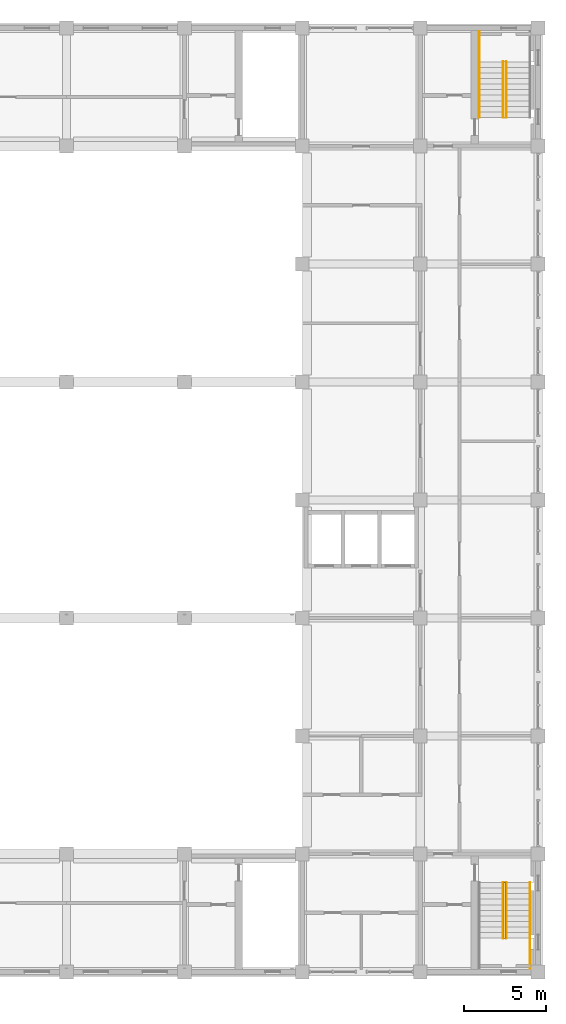
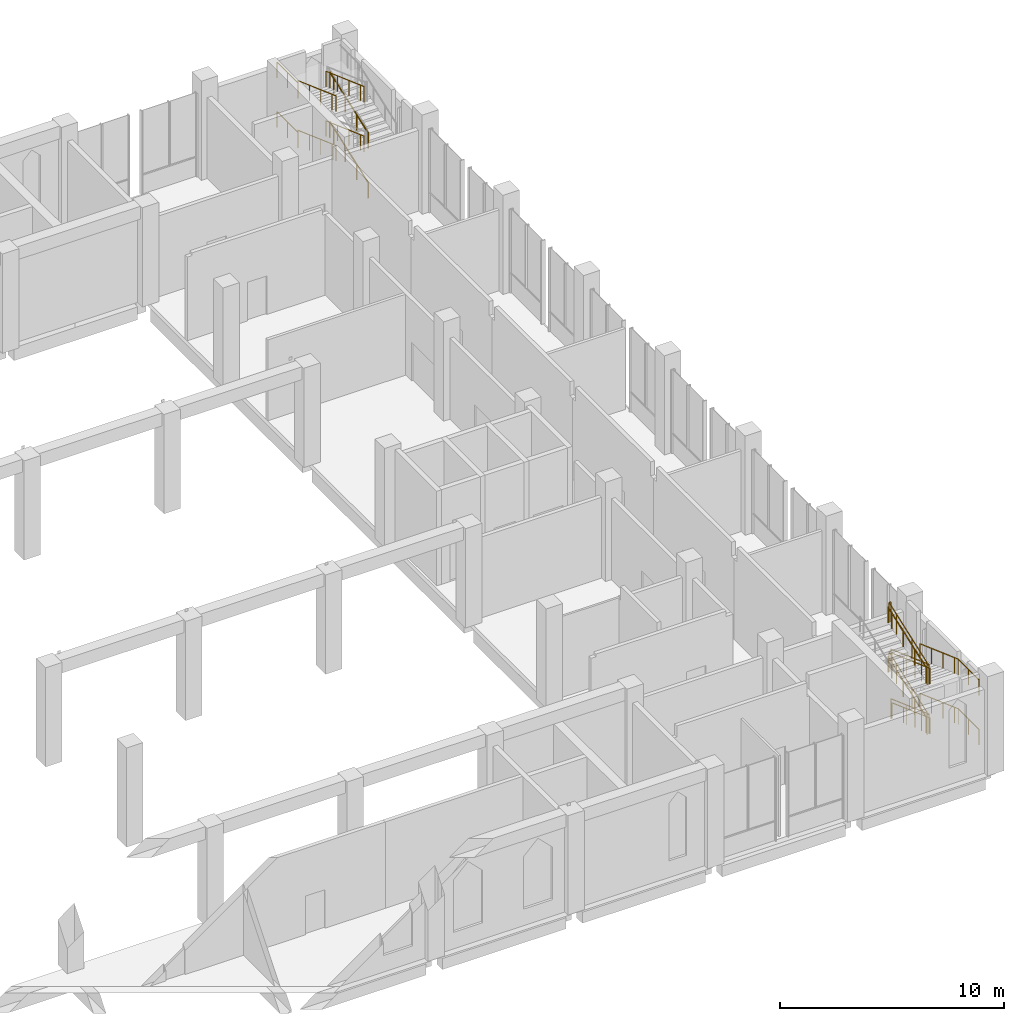
# One storey, part 47 of 48: 13 railings.
"""IFC4 building model written with IfcOpenShell, lengths in metres."""

from ifc_helpers import new_model, si_unit, direction, frame, origin, origin_2d, place, context, subcontext, project, spatial, circle, extrude, material, type_object, element, save


model = new_model("IFC4")

# Units and contexts
model_context = context("Model", 3, precision=1e-05, world=origin(), true_north=direction((0.0, 1.0)))
body_context = subcontext(model_context, "Body", "Model", "MODEL_VIEW")
ifc_project = project(units=[si_unit("LENGTHUNIT", "METRE"), si_unit("AREAUNIT", "SQUARE_METRE"), si_unit("VOLUMEUNIT", "CUBIC_METRE"), si_unit("PLANEANGLEUNIT", "RADIAN"), si_unit("MASSUNIT", "GRAM", prefix="KILO")], contexts=[model_context])

# Site, building, storey
site_placement = place(None, origin())
site = spatial("IfcSite", under=ifc_project, at=site_placement, CompositionType="ELEMENT")
building_placement = place(site_placement, origin())
building = spatial("IfcBuilding", under=site, at=building_placement, Name="Silangan Lancet Faculty of Sciences", CompositionType="ELEMENT")
storey_placement = place(building_placement, frame((0.0, 0.0, 6.0)))
storey = spatial("IfcBuildingStorey", under=building, at=storey_placement, Name="L01", CompositionType="ELEMENT", Elevation=6.0)

# Railings
ifc_material_1 = material(Name="Steel balustrade", Category="steel")
railing_type_1 = type_object("IfcRailingType", Name="STAIR GUARD 1100", PredefinedType="GUARDRAIL", material=ifc_material_1)
railing_1_placement = place(storey_placement, frame((84.39990234375, 5.449951171875, 0.122802734375)))
element("IfcRailing", 1, at=railing_1_placement, inside=storey, type_object=railing_type_1, Name="GUARD-EB-A-L01", PredefinedType="GUARDRAIL", context=body_context, shape_type="SweptSolid", body=[
    extrude(circle(Radius=0.02392578125, at=origin_2d()), frame((0.0, 0.0, 1.076171875), z_axis=(0.0, -0.940611573742, 0.339484708555), x_axis=(1.0, 0.0, 0.0)), (0.0, 0.0, 1.0), 2.8916015625),
    extrude(circle(Radius=0.02392578125, at=origin_2d()), frame((0.0, -2.719970703125, 2.0576171875), z_axis=(0.0, -0.940520931127, 0.339735747474), x_axis=(1.0, 0.0, 0.0)), (0.0, 0.0, 1.0), 0.722900390625),
    extrude(circle(Radius=0.02392578125, at=origin_2d()), frame((0.0, -3.39990234375, 2.30322265625), z_axis=(-1.0, 0.0, 0.0), x_axis=(0.0, -1.0, 0.0)), (0.0, 0.0, 1.0), 0.099853515625),
    extrude(circle(Radius=0.02392578125, at=origin_2d()), frame((-0.099853515625, -3.39990234375, 2.30322265625), z_axis=(0.0, 0.0, 1.0), x_axis=(1.0, 0.0, 0.0)), (0.0, 0.0, 1.0), 0.12255859375),
    extrude(circle(Radius=0.02392578125, at=origin_2d()), frame((-0.099853515625, -3.39990234375, 2.42578125), z_axis=(0.0, 0.940584611748, 0.339559402967), x_axis=(-1.0, 0.0, 0.0)), (0.0, 0.0, 1.0), 2.891845703125),
    extrude(circle(Radius=0.02392578125, at=origin_2d()), frame((-0.099853515625, -0.679931640625, 3.40771484375), z_axis=(0.0, 0.940628803885, 0.339436965136), x_axis=(-1.0, 0.0, 0.0)), (0.0, 0.0, 1.0), 0.722900390625),
    extrude(circle(Radius=0.02392578125, at=origin_2d()), frame((-0.099853515625, 0.0, 3.6533203125), z_axis=(1.0, 0.0, 0.0), x_axis=(0.0, 1.0, 0.0)), (0.0, 0.0, 1.0), 0.099853515625),
    extrude(circle(Radius=0.02392578125, at=origin_2d()), frame((0.0, 0.0, 3.6533203125), z_axis=(0.0, 0.0, 1.0), x_axis=(1.0, 0.0, 0.0)), (0.0, 0.0, 1.0), 0.122802734375),
    extrude(circle(Radius=0.02392578125, at=origin_2d()), frame((0.0, 0.0, 3.77587890625), z_axis=(0.0, -0.940611573742, 0.339484708555), x_axis=(1.0, 0.0, 0.0)), (0.0, 0.0, 1.0), 2.8916015625),
    extrude(circle(Radius=0.02392578125, at=origin_2d()), frame((0.0, -2.719970703125, 4.7578125), z_axis=(0.0, -0.940520931127, 0.339735747474), x_axis=(1.0, 0.0, 0.0)), (0.0, 0.0, 1.0), 0.722900390625),
    extrude(circle(Radius=0.02392578125, at=origin_2d()), frame((0.0, -3.39990234375, 5.00341796875), z_axis=(-1.0, 0.0, 0.0), x_axis=(0.0, -1.0, 0.0)), (0.0, 0.0, 1.0), 0.099853515625),
    extrude(circle(Radius=0.02392578125, at=origin_2d()), frame((-0.099853515625, -3.39990234375, 5.00341796875), z_axis=(0.0, 0.0, 1.0), x_axis=(1.0, 0.0, 0.0)), (0.0, 0.0, 1.0), 0.12255859375),
    extrude(circle(Radius=0.02392578125, at=origin_2d()), frame((-0.099853515625, -3.39990234375, 5.1259765625), z_axis=(0.0, 0.940584611748, 0.339559402967), x_axis=(-1.0, 0.0, 0.0)), (0.0, 0.0, 1.0), 2.891845703125),
    extrude(circle(Radius=0.02392578125, at=origin_2d()), frame((-0.099853515625, -0.679931640625, 6.10791015625), z_axis=(0.0, 0.940628803885, 0.339436965136), x_axis=(-1.0, 0.0, 0.0)), (0.0, 0.0, 1.0), 0.722900390625),
    extrude(circle(Radius=0.02392578125, at=origin_2d()), frame((-0.099853515625, 0.0, 6.35302734375), z_axis=(1.0, 0.0, 0.0), x_axis=(0.0, 1.0, 0.0)), (0.0, 0.0, 1.0), 0.099853515625),
    extrude(circle(Radius=0.02099609375, at=origin_2d()), origin(), (0.0, 0.0, 1.0), 1.052001953125),
    extrude(circle(Radius=0.02099609375, at=origin_2d()), frame((0.0, -1.35986328125, 0.49072265625)), (0.0, 0.0, 1.0), 1.052001953125),
    extrude(circle(Radius=0.02099609375, at=origin_2d()), frame((0.0, -2.719970703125, 0.981689453125)), (0.0, 0.0, 1.0), 1.052001953125),
    extrude(circle(Radius=0.02099609375, at=origin_2d()), frame((0.0, -3.39990234375, 1.227294921875)), (0.0, 0.0, 1.0), 1.052001953125),
    extrude(circle(Radius=0.02099609375, at=origin_2d()), frame((-0.099853515625, -3.39990234375, 1.227294921875)), (0.0, 0.0, 1.0), 1.052001953125),
    extrude(circle(Radius=0.02099609375, at=origin_2d()), frame((-0.099853515625, -3.39990234375, 1.349853515625)), (0.0, 0.0, 1.0), 1.052001953125),
    extrude(circle(Radius=0.02099609375, at=origin_2d()), frame((-0.099853515625, -2.0400390625, 1.8408203125)), (0.0, 0.0, 1.0), 1.052001953125),
    extrude(circle(Radius=0.02099609375, at=origin_2d()), frame((-0.099853515625, -0.679931640625, 2.331787109375)), (0.0, 0.0, 1.0), 1.052001953125),
    extrude(circle(Radius=0.02099609375, at=origin_2d()), frame((-0.099853515625, 0.0, 2.5771484375)), (0.0, 0.0, 1.0), 1.052001953125),
    extrude(circle(Radius=0.02099609375, at=origin_2d()), frame((0.0, 0.0, 2.5771484375)), (0.0, 0.0, 1.0), 1.052001953125),
    extrude(circle(Radius=0.02099609375, at=origin_2d()), frame((0.0, 0.0, 2.699951171875)), (0.0, 0.0, 1.0), 1.052001953125),
    extrude(circle(Radius=0.02099609375, at=origin_2d()), frame((0.0, -1.35986328125, 3.19091796875)), (0.0, 0.0, 1.0), 1.052001953125),
    extrude(circle(Radius=0.02099609375, at=origin_2d()), frame((0.0, -2.719970703125, 3.681640625)), (0.0, 0.0, 1.0), 1.052001953125),
    extrude(circle(Radius=0.02099609375, at=origin_2d()), frame((0.0, -3.39990234375, 3.92724609375)), (0.0, 0.0, 1.0), 1.052001953125),
    extrude(circle(Radius=0.02099609375, at=origin_2d()), frame((-0.099853515625, -3.39990234375, 3.92724609375)), (0.0, 0.0, 1.0), 1.052001953125),
    extrude(circle(Radius=0.02099609375, at=origin_2d()), frame((-0.099853515625, -3.39990234375, 4.0498046875)), (0.0, 0.0, 1.0), 1.052001953125),
    extrude(circle(Radius=0.02099609375, at=origin_2d()), frame((-0.099853515625, -2.0400390625, 4.540771484375)), (0.0, 0.0, 1.0), 1.052001953125),
    extrude(circle(Radius=0.02099609375, at=origin_2d()), frame((-0.099853515625, -0.679931640625, 5.03173828125)), (0.0, 0.0, 1.0), 1.052001953125),
    extrude(circle(Radius=0.02099609375, at=origin_2d()), frame((-0.099853515625, 0.0, 5.277099609375)), (0.0, 0.0, 1.0), 1.052001953125),
    extrude(circle(Radius=0.02099609375, at=origin_2d()), frame((0.0, 0.0, 5.277099609375)), (0.0, 0.0, 1.0), 1.052001953125),
])
ifc_material_2 = material(Name="Stainless steel", Category="steel")
railing_type_2 = type_object("IfcRailingType", Name="STAIR HANDRAIL 865", PredefinedType="HANDRAIL", material=ifc_material_2)
railing_2_placement = place(storey_placement, frame((85.89990234375, 5.449951171875, 0.122802734375)))
element("IfcRailing", 2, at=railing_2_placement, inside=storey, type_object=railing_type_2, Name="HANDRAIL-EB-A-L01-O1", PredefinedType="HANDRAIL", context=body_context, shape_type="SweptSolid", body=[
    extrude(circle(Radius=0.02392578125, at=origin_2d()), frame((0.0, 0.0, 0.8408203125), z_axis=(0.0, -0.94060583065, 0.339500620541), x_axis=(1.0, 0.0, 0.0)), (0.0, 0.0, 1.0), 1.08447265625),
    extrude(circle(Radius=0.02392578125, at=origin_2d()), frame((0.0, -1.02001953125, 1.208984375), z_axis=(0.0, -0.94060583065, 0.339500620541), x_axis=(1.0, 0.0, 0.0)), (0.0, 0.0, 1.0), 1.08447265625),
    extrude(circle(Radius=0.02392578125, at=origin_2d()), frame((0.0, -2.0400390625, 1.5771484375), z_axis=(0.0, -0.94060583065, 0.339500620541), x_axis=(1.0, 0.0, 0.0)), (0.0, 0.0, 1.0), 1.08447265625),
    extrude(circle(Radius=0.02392578125, at=origin_2d()), frame((0.0, -3.06005859375, 1.9453125), z_axis=(0.0, -0.940481933992, 0.339843687355), x_axis=(1.0, 0.0, 0.0)), (0.0, 0.0, 1.0), 0.361328125),
    extrude(circle(Radius=0.02392578125, at=origin_2d()), frame((0.0, -3.39990234375, 2.068359375), z_axis=(0.0, -1.0, 0.0), x_axis=(1.0, 0.0, 0.0)), (0.0, 0.0, 1.0), 1.85009765625),
    extrude(circle(Radius=0.02099609375, at=origin_2d()), origin(), (0.0, 0.0, 1.0), 0.81689453125),
    extrude(circle(Radius=0.02099609375, at=origin_2d()), frame((0.0, -1.02001953125, 0.3681640625)), (0.0, 0.0, 1.0), 0.81689453125),
    extrude(circle(Radius=0.02099609375, at=origin_2d()), frame((0.0, -2.0400390625, 0.736328125)), (0.0, 0.0, 1.0), 0.81689453125),
    extrude(circle(Radius=0.02099609375, at=origin_2d()), frame((0.0, -3.06005859375, 1.1044921875)), (0.0, 0.0, 1.0), 0.81689453125),
    extrude(circle(Radius=0.02099609375, at=origin_2d()), frame((0.0, -3.39990234375, 1.227294921875)), (0.0, 0.0, 1.0), 0.81689453125),
    extrude(circle(Radius=0.02099609375, at=origin_2d()), frame((0.0, -4.324951171875, 1.227294921875)), (0.0, 0.0, 1.0), 0.81689453125),
    extrude(circle(Radius=0.02099609375, at=origin_2d()), frame((0.0, -5.25, 1.227294921875)), (0.0, 0.0, 1.0), 0.81689453125),
])
railing_3_placement = place(storey_placement, frame((84.449951171875, 5.449951171875, 0.122802734375)))
element("IfcRailing", 3, at=railing_3_placement, inside=storey, type_object=railing_type_2, Name="HANDRAIL-EB-A-L01-I1", PredefinedType="HANDRAIL", context=body_context, shape_type="SweptSolid", body=[
    extrude(circle(Radius=0.02392578125, at=origin_2d()), frame((0.0, 0.0, 0.8408203125), z_axis=(0.0, -0.94060583065, 0.339500620541), x_axis=(1.0, 0.0, 0.0)), (0.0, 0.0, 1.0), 1.08447265625),
    extrude(circle(Radius=0.02392578125, at=origin_2d()), frame((0.0, -1.02001953125, 1.208984375), z_axis=(0.0, -0.94060583065, 0.339500620541), x_axis=(1.0, 0.0, 0.0)), (0.0, 0.0, 1.0), 1.08447265625),
    extrude(circle(Radius=0.02392578125, at=origin_2d()), frame((0.0, -2.0400390625, 1.5771484375), z_axis=(0.0, -0.94060583065, 0.339500620541), x_axis=(1.0, 0.0, 0.0)), (0.0, 0.0, 1.0), 1.08447265625),
    extrude(circle(Radius=0.02392578125, at=origin_2d()), frame((0.0, -3.06005859375, 1.9453125), z_axis=(0.0, -0.940481933992, 0.339843687355), x_axis=(1.0, 0.0, 0.0)), (0.0, 0.0, 1.0), 0.361328125),
    extrude(circle(Radius=0.02099609375, at=origin_2d()), origin(), (0.0, 0.0, 1.0), 0.81689453125),
    extrude(circle(Radius=0.02099609375, at=origin_2d()), frame((0.0, -1.02001953125, 0.3681640625)), (0.0, 0.0, 1.0), 0.81689453125),
    extrude(circle(Radius=0.02099609375, at=origin_2d()), frame((0.0, -2.0400390625, 0.736328125)), (0.0, 0.0, 1.0), 0.81689453125),
    extrude(circle(Radius=0.02099609375, at=origin_2d()), frame((0.0, -3.06005859375, 1.1044921875)), (0.0, 0.0, 1.0), 0.81689453125),
    extrude(circle(Radius=0.02099609375, at=origin_2d()), frame((0.0, -3.39990234375, 1.227294921875)), (0.0, 0.0, 1.0), 0.81689453125),
])
railing_4_placement = place(storey_placement, frame((84.25, 2.050048828125, 1.47265625)))
element("IfcRailing", 4, at=railing_4_placement, inside=storey, type_object=railing_type_2, Name="HANDRAIL-EB-A-L01-I2", PredefinedType="HANDRAIL", context=body_context, shape_type="SweptSolid", body=[
    extrude(circle(Radius=0.02392578125, at=origin_2d()), frame((0.0, 0.0, 0.8408203125), z_axis=(0.0, 0.94060583065, 0.339500620541), x_axis=(-1.0, 0.0, 0.0)), (0.0, 0.0, 1.0), 1.08447265625),
    extrude(circle(Radius=0.02392578125, at=origin_2d()), frame((0.0, 1.02001953125, 1.208984375), z_axis=(0.0, 0.94060583065, 0.339500620541), x_axis=(-1.0, 0.0, 0.0)), (0.0, 0.0, 1.0), 1.08447265625),
    extrude(circle(Radius=0.02392578125, at=origin_2d()), frame((0.0, 2.0400390625, 1.5771484375), z_axis=(0.0, 0.940533921917, 0.339699781755), x_axis=(-1.0, 0.0, 0.0)), (0.0, 0.0, 1.0), 1.08447265625),
    extrude(circle(Radius=0.02392578125, at=origin_2d()), frame((0.0, 3.06005859375, 1.94580078125), z_axis=(0.0, 0.940697737464, 0.339245879459), x_axis=(-1.0, 0.0, 0.0)), (0.0, 0.0, 1.0), 0.361328125),
    extrude(circle(Radius=0.02099609375, at=origin_2d()), origin(), (0.0, 0.0, 1.0), 0.81689453125),
    extrude(circle(Radius=0.02099609375, at=origin_2d()), frame((0.0, 1.02001953125, 0.3681640625)), (0.0, 0.0, 1.0), 0.81689453125),
    extrude(circle(Radius=0.02099609375, at=origin_2d()), frame((0.0, 2.0400390625, 0.736328125)), (0.0, 0.0, 1.0), 0.81689453125),
    extrude(circle(Radius=0.02099609375, at=origin_2d()), frame((0.0, 3.06005859375, 1.104736328125)), (0.0, 0.0, 1.0), 0.81689453125),
    extrude(circle(Radius=0.02099609375, at=origin_2d()), frame((0.0, 3.39990234375, 1.227294921875)), (0.0, 0.0, 1.0), 0.81689453125),
])
railing_5_placement = place(storey_placement, frame((85.89990234375, 5.449951171875, 2.82275390625)))
element("IfcRailing", 5, at=railing_5_placement, inside=storey, type_object=railing_type_2, Name="HANDRAIL-EB-A-L01-O3", PredefinedType="HANDRAIL", context=body_context, shape_type="SweptSolid", body=[
    extrude(circle(Radius=0.02392578125, at=origin_2d()), frame((0.0, 0.0, 0.8408203125), z_axis=(0.0, -0.94060583065, 0.339500620541), x_axis=(1.0, 0.0, 0.0)), (0.0, 0.0, 1.0), 1.08447265625),
    extrude(circle(Radius=0.02392578125, at=origin_2d()), frame((0.0, -1.02001953125, 1.208984375), z_axis=(0.0, -0.94060583065, 0.339500620541), x_axis=(1.0, 0.0, 0.0)), (0.0, 0.0, 1.0), 1.08447265625),
    extrude(circle(Radius=0.02392578125, at=origin_2d()), frame((0.0, -2.0400390625, 1.5771484375), z_axis=(0.0, -0.94060583065, 0.339500620541), x_axis=(1.0, 0.0, 0.0)), (0.0, 0.0, 1.0), 1.08447265625),
    extrude(circle(Radius=0.02392578125, at=origin_2d()), frame((0.0, -3.06005859375, 1.9453125), z_axis=(0.0, -0.940481933992, 0.339843687355), x_axis=(1.0, 0.0, 0.0)), (0.0, 0.0, 1.0), 0.361328125),
    extrude(circle(Radius=0.02392578125, at=origin_2d()), frame((0.0, -3.39990234375, 2.068359375), z_axis=(0.0, -1.0, 0.0), x_axis=(1.0, 0.0, 0.0)), (0.0, 0.0, 1.0), 1.85009765625),
    extrude(circle(Radius=0.02099609375, at=origin_2d()), origin(), (0.0, 0.0, 1.0), 0.81689453125),
    extrude(circle(Radius=0.02099609375, at=origin_2d()), frame((0.0, -1.02001953125, 0.3681640625)), (0.0, 0.0, 1.0), 0.81689453125),
    extrude(circle(Radius=0.02099609375, at=origin_2d()), frame((0.0, -2.0400390625, 0.736328125)), (0.0, 0.0, 1.0), 0.81689453125),
    extrude(circle(Radius=0.02099609375, at=origin_2d()), frame((0.0, -3.06005859375, 1.1044921875)), (0.0, 0.0, 1.0), 0.81689453125),
    extrude(circle(Radius=0.02099609375, at=origin_2d()), frame((0.0, -3.39990234375, 1.227294921875)), (0.0, 0.0, 1.0), 0.81689453125),
    extrude(circle(Radius=0.02099609375, at=origin_2d()), frame((0.0, -4.324951171875, 1.227294921875)), (0.0, 0.0, 1.0), 0.81689453125),
    extrude(circle(Radius=0.02099609375, at=origin_2d()), frame((0.0, -5.25, 1.227294921875)), (0.0, 0.0, 1.0), 0.81689453125),
])
railing_6_placement = place(storey_placement, frame((84.449951171875, 5.449951171875, 2.82275390625)))
element("IfcRailing", 6, at=railing_6_placement, inside=storey, type_object=railing_type_2, Name="HANDRAIL-EB-A-L01-I3", PredefinedType="HANDRAIL", context=body_context, shape_type="SweptSolid", body=[
    extrude(circle(Radius=0.02392578125, at=origin_2d()), frame((0.0, 0.0, 0.8408203125), z_axis=(0.0, -0.94060583065, 0.339500620541), x_axis=(1.0, 0.0, 0.0)), (0.0, 0.0, 1.0), 1.08447265625),
    extrude(circle(Radius=0.02392578125, at=origin_2d()), frame((0.0, -1.02001953125, 1.208984375), z_axis=(0.0, -0.94060583065, 0.339500620541), x_axis=(1.0, 0.0, 0.0)), (0.0, 0.0, 1.0), 1.08447265625),
    extrude(circle(Radius=0.02392578125, at=origin_2d()), frame((0.0, -2.0400390625, 1.5771484375), z_axis=(0.0, -0.94060583065, 0.339500620541), x_axis=(1.0, 0.0, 0.0)), (0.0, 0.0, 1.0), 1.08447265625),
    extrude(circle(Radius=0.02392578125, at=origin_2d()), frame((0.0, -3.06005859375, 1.9453125), z_axis=(0.0, -0.940481933992, 0.339843687355), x_axis=(1.0, 0.0, 0.0)), (0.0, 0.0, 1.0), 0.361328125),
    extrude(circle(Radius=0.02099609375, at=origin_2d()), origin(), (0.0, 0.0, 1.0), 0.81689453125),
    extrude(circle(Radius=0.02099609375, at=origin_2d()), frame((0.0, -1.02001953125, 0.3681640625)), (0.0, 0.0, 1.0), 0.81689453125),
    extrude(circle(Radius=0.02099609375, at=origin_2d()), frame((0.0, -2.0400390625, 0.736328125)), (0.0, 0.0, 1.0), 0.81689453125),
    extrude(circle(Radius=0.02099609375, at=origin_2d()), frame((0.0, -3.06005859375, 1.1044921875)), (0.0, 0.0, 1.0), 0.81689453125),
    extrude(circle(Radius=0.02099609375, at=origin_2d()), frame((0.0, -3.39990234375, 1.227294921875)), (0.0, 0.0, 1.0), 0.81689453125),
])
railing_7_placement = place(storey_placement, frame((84.25, 2.050048828125, 4.172607421875)))
element("IfcRailing", 7, at=railing_7_placement, inside=storey, type_object=railing_type_2, Name="HANDRAIL-EB-A-L01-I4", PredefinedType="HANDRAIL", context=body_context, shape_type="SweptSolid", body=[
    extrude(circle(Radius=0.02392578125, at=origin_2d()), frame((0.0, 0.0, 0.8408203125), z_axis=(0.0, 0.940533921917, 0.339699781755), x_axis=(-1.0, 0.0, 0.0)), (0.0, 0.0, 1.0), 1.08447265625),
    extrude(circle(Radius=0.02392578125, at=origin_2d()), frame((0.0, 1.02001953125, 1.20947265625), z_axis=(0.0, 0.94060583065, 0.339500620541), x_axis=(-1.0, 0.0, 0.0)), (0.0, 0.0, 1.0), 1.08447265625),
    extrude(circle(Radius=0.02392578125, at=origin_2d()), frame((0.0, 2.0400390625, 1.57763671875), z_axis=(0.0, 0.94060583065, 0.339500620541), x_axis=(-1.0, 0.0, 0.0)), (0.0, 0.0, 1.0), 1.08447265625),
    extrude(circle(Radius=0.02392578125, at=origin_2d()), frame((0.0, 3.06005859375, 1.94580078125), z_axis=(0.0, 0.940697737464, 0.339245879459), x_axis=(-1.0, 0.0, 0.0)), (0.0, 0.0, 1.0), 0.361328125),
    extrude(circle(Radius=0.02099609375, at=origin_2d()), origin(), (0.0, 0.0, 1.0), 0.81689453125),
    extrude(circle(Radius=0.02099609375, at=origin_2d()), frame((0.0, 1.02001953125, 0.368408203125)), (0.0, 0.0, 1.0), 0.81689453125),
    extrude(circle(Radius=0.02099609375, at=origin_2d()), frame((0.0, 2.0400390625, 0.736572265625)), (0.0, 0.0, 1.0), 0.81689453125),
    extrude(circle(Radius=0.02099609375, at=origin_2d()), frame((0.0, 3.06005859375, 1.104736328125)), (0.0, 0.0, 1.0), 0.81689453125),
    extrude(circle(Radius=0.02099609375, at=origin_2d()), frame((0.0, 3.39990234375, 1.227294921875)), (0.0, 0.0, 1.0), 0.81689453125),
])
railing_8_placement = place(storey_placement, frame((84.449951171875, 52.14990234375, 0.122802734375)))
element("IfcRailing", 8, at=railing_8_placement, inside=storey, type_object=railing_type_2, Name="HANDRAIL-EB-B-L01-I1", PredefinedType="HANDRAIL", context=body_context, shape_type="SweptSolid", body=[
    extrude(circle(Radius=0.02392578125, at=origin_2d()), frame((0.0, 0.0, 0.8408203125), z_axis=(0.0, 0.94060583065, 0.339500620541), x_axis=(-1.0, 0.0, 0.0)), (0.0, 0.0, 1.0), 1.08447265625),
    extrude(circle(Radius=0.02392578125, at=origin_2d()), frame((0.0, 1.02001953125, 1.208984375), z_axis=(0.0, 0.94060583065, 0.339500620541), x_axis=(-1.0, 0.0, 0.0)), (0.0, 0.0, 1.0), 1.08447265625),
    extrude(circle(Radius=0.02392578125, at=origin_2d()), frame((0.0, 2.0400390625, 1.5771484375), z_axis=(0.0, 0.94060583065, 0.339500620541), x_axis=(-1.0, 0.0, 0.0)), (0.0, 0.0, 1.0), 1.08447265625),
    extrude(circle(Radius=0.02392578125, at=origin_2d()), frame((0.0, 3.06005859375, 1.9453125), z_axis=(0.0, 0.940559891121, 0.339627871668), x_axis=(-1.0, 0.0, 0.0)), (0.0, 0.0, 1.0), 0.361572265625),
    extrude(circle(Radius=0.02099609375, at=origin_2d()), origin(), (0.0, 0.0, 1.0), 0.81689453125),
    extrude(circle(Radius=0.02099609375, at=origin_2d()), frame((0.0, 1.02001953125, 0.3681640625)), (0.0, 0.0, 1.0), 0.81689453125),
    extrude(circle(Radius=0.02099609375, at=origin_2d()), frame((0.0, 2.0400390625, 0.736328125)), (0.0, 0.0, 1.0), 0.81689453125),
    extrude(circle(Radius=0.02099609375, at=origin_2d()), frame((0.0, 3.06005859375, 1.1044921875)), (0.0, 0.0, 1.0), 0.81689453125),
    extrude(circle(Radius=0.02099609375, at=origin_2d()), frame((0.0, 3.400146484375, 1.227294921875)), (0.0, 0.0, 1.0), 0.81689453125),
])
railing_9_placement = place(storey_placement, frame((82.800048828125, 57.39990234375, 1.35009765625)))
element("IfcRailing", 9, at=railing_9_placement, inside=storey, type_object=railing_type_2, Name="HANDRAIL-EB-B-L01-O2", PredefinedType="HANDRAIL", context=body_context, shape_type="SweptSolid", body=[
    extrude(circle(Radius=0.02392578125, at=origin_2d()), frame((0.0, 0.0, 0.8408203125), z_axis=(0.0, -1.0, 0.0), x_axis=(1.0, 0.0, 0.0)), (0.0, 0.0, 1.0), 1.849853515625),
    extrude(circle(Radius=0.02392578125, at=origin_2d()), frame((0.0, -1.849853515625, 0.8408203125), z_axis=(0.0, 0.0, 1.0), x_axis=(1.0, 0.0, 0.0)), (0.0, 0.0, 1.0), 0.12255859375),
    extrude(circle(Radius=0.02392578125, at=origin_2d()), frame((0.0, -1.849853515625, 0.96337890625), z_axis=(0.0, -0.94060583065, 0.339500620541), x_axis=(1.0, 0.0, 0.0)), (0.0, 0.0, 1.0), 1.08447265625),
    extrude(circle(Radius=0.02392578125, at=origin_2d()), frame((0.0, -2.869873046875, 1.33154296875), z_axis=(0.0, -0.94060583065, 0.339500620541), x_axis=(1.0, 0.0, 0.0)), (0.0, 0.0, 1.0), 1.08447265625),
    extrude(circle(Radius=0.02392578125, at=origin_2d()), frame((0.0, -3.889892578125, 1.69970703125), z_axis=(0.0, -0.940533921917, 0.339699781755), x_axis=(1.0, 0.0, 0.0)), (0.0, 0.0, 1.0), 1.08447265625),
    extrude(circle(Radius=0.02392578125, at=origin_2d()), frame((0.0, -4.909912109375, 2.068359375), z_axis=(0.0, -0.940775438362, 0.339030344622), x_axis=(1.0, 0.0, 0.0)), (0.0, 0.0, 1.0), 0.361572265625),
    extrude(circle(Radius=0.02099609375, at=origin_2d()), origin(), (0.0, 0.0, 1.0), 0.81689453125),
    extrude(circle(Radius=0.02099609375, at=origin_2d()), frame((0.0, -0.9248046875, 0.0)), (0.0, 0.0, 1.0), 0.81689453125),
    extrude(circle(Radius=0.02099609375, at=origin_2d()), frame((0.0, -1.849853515625, 0.0)), (0.0, 0.0, 1.0), 0.81689453125),
    extrude(circle(Radius=0.02099609375, at=origin_2d()), frame((0.0, -1.849853515625, 0.12255859375)), (0.0, 0.0, 1.0), 0.81689453125),
    extrude(circle(Radius=0.02099609375, at=origin_2d()), frame((0.0, -2.869873046875, 0.49072265625)), (0.0, 0.0, 1.0), 0.81689453125),
    extrude(circle(Radius=0.02099609375, at=origin_2d()), frame((0.0, -3.889892578125, 0.85888671875)), (0.0, 0.0, 1.0), 0.81689453125),
    extrude(circle(Radius=0.02099609375, at=origin_2d()), frame((0.0, -4.909912109375, 1.227294921875)), (0.0, 0.0, 1.0), 0.81689453125),
    extrude(circle(Radius=0.02099609375, at=origin_2d()), frame((0.0, -5.25, 1.349853515625)), (0.0, 0.0, 1.0), 0.81689453125),
])
railing_10_placement = place(storey_placement, frame((84.25, 55.550048828125, 1.47265625)))
element("IfcRailing", 10, at=railing_10_placement, inside=storey, type_object=railing_type_2, Name="HANDRAIL-EB-B-L01-I2", PredefinedType="HANDRAIL", context=body_context, shape_type="SweptSolid", body=[
    extrude(circle(Radius=0.02392578125, at=origin_2d()), frame((0.0, 0.0, 0.8408203125), z_axis=(0.0, -0.94060583065, 0.339500620541), x_axis=(1.0, 0.0, 0.0)), (0.0, 0.0, 1.0), 1.08447265625),
    extrude(circle(Radius=0.02392578125, at=origin_2d()), frame((0.0, -1.02001953125, 1.208984375), z_axis=(0.0, -0.94060583065, 0.339500620541), x_axis=(1.0, 0.0, 0.0)), (0.0, 0.0, 1.0), 1.08447265625),
    extrude(circle(Radius=0.02392578125, at=origin_2d()), frame((0.0, -2.0400390625, 1.5771484375), z_axis=(0.0, -0.940533921917, 0.339699781755), x_axis=(1.0, 0.0, 0.0)), (0.0, 0.0, 1.0), 1.08447265625),
    extrude(circle(Radius=0.02392578125, at=origin_2d()), frame((0.0, -3.06005859375, 1.94580078125), z_axis=(0.0, -0.940775438362, 0.339030344622), x_axis=(1.0, 0.0, 0.0)), (0.0, 0.0, 1.0), 0.361572265625),
    extrude(circle(Radius=0.02099609375, at=origin_2d()), origin(), (0.0, 0.0, 1.0), 0.81689453125),
    extrude(circle(Radius=0.02099609375, at=origin_2d()), frame((0.0, -1.02001953125, 0.3681640625)), (0.0, 0.0, 1.0), 0.81689453125),
    extrude(circle(Radius=0.02099609375, at=origin_2d()), frame((0.0, -2.0400390625, 0.736328125)), (0.0, 0.0, 1.0), 0.81689453125),
    extrude(circle(Radius=0.02099609375, at=origin_2d()), frame((0.0, -3.06005859375, 1.104736328125)), (0.0, 0.0, 1.0), 0.81689453125),
    extrude(circle(Radius=0.02099609375, at=origin_2d()), frame((0.0, -3.400146484375, 1.227294921875)), (0.0, 0.0, 1.0), 0.81689453125),
])
railing_11_placement = place(storey_placement, frame((84.449951171875, 52.14990234375, 2.82275390625)))
element("IfcRailing", 11, at=railing_11_placement, inside=storey, type_object=railing_type_2, Name="HANDRAIL-EB-B-L01-I3", PredefinedType="HANDRAIL", context=body_context, shape_type="SweptSolid", body=[
    extrude(circle(Radius=0.02392578125, at=origin_2d()), frame((0.0, 0.0, 0.8408203125), z_axis=(0.0, 0.94060583065, 0.339500620541), x_axis=(-1.0, 0.0, 0.0)), (0.0, 0.0, 1.0), 1.08447265625),
    extrude(circle(Radius=0.02392578125, at=origin_2d()), frame((0.0, 1.02001953125, 1.208984375), z_axis=(0.0, 0.94060583065, 0.339500620541), x_axis=(-1.0, 0.0, 0.0)), (0.0, 0.0, 1.0), 1.08447265625),
    extrude(circle(Radius=0.02392578125, at=origin_2d()), frame((0.0, 2.0400390625, 1.5771484375), z_axis=(0.0, 0.94060583065, 0.339500620541), x_axis=(-1.0, 0.0, 0.0)), (0.0, 0.0, 1.0), 1.08447265625),
    extrude(circle(Radius=0.02392578125, at=origin_2d()), frame((0.0, 3.06005859375, 1.9453125), z_axis=(0.0, 0.940559891121, 0.339627871668), x_axis=(-1.0, 0.0, 0.0)), (0.0, 0.0, 1.0), 0.361572265625),
    extrude(circle(Radius=0.02099609375, at=origin_2d()), origin(), (0.0, 0.0, 1.0), 0.81689453125),
    extrude(circle(Radius=0.02099609375, at=origin_2d()), frame((0.0, 1.02001953125, 0.3681640625)), (0.0, 0.0, 1.0), 0.81689453125),
    extrude(circle(Radius=0.02099609375, at=origin_2d()), frame((0.0, 2.0400390625, 0.736328125)), (0.0, 0.0, 1.0), 0.81689453125),
    extrude(circle(Radius=0.02099609375, at=origin_2d()), frame((0.0, 3.06005859375, 1.1044921875)), (0.0, 0.0, 1.0), 0.81689453125),
    extrude(circle(Radius=0.02099609375, at=origin_2d()), frame((0.0, 3.400146484375, 1.227294921875)), (0.0, 0.0, 1.0), 0.81689453125),
])
railing_12_placement = place(storey_placement, frame((82.800048828125, 57.39990234375, 4.050048828125)))
element("IfcRailing", 12, at=railing_12_placement, inside=storey, type_object=railing_type_2, Name="HANDRAIL-EB-B-L01-O4", PredefinedType="HANDRAIL", context=body_context, shape_type="SweptSolid", body=[
    extrude(circle(Radius=0.02392578125, at=origin_2d()), frame((0.0, 0.0, 0.8408203125), z_axis=(0.0, -1.0, 0.0), x_axis=(1.0, 0.0, 0.0)), (0.0, 0.0, 1.0), 1.849853515625),
    extrude(circle(Radius=0.02392578125, at=origin_2d()), frame((0.0, -1.849853515625, 0.8408203125), z_axis=(0.0, 0.0, 1.0), x_axis=(1.0, 0.0, 0.0)), (0.0, 0.0, 1.0), 0.12255859375),
    extrude(circle(Radius=0.02392578125, at=origin_2d()), frame((0.0, -1.849853515625, 0.96337890625), z_axis=(0.0, -0.940533921917, 0.339699781755), x_axis=(1.0, 0.0, 0.0)), (0.0, 0.0, 1.0), 1.08447265625),
    extrude(circle(Radius=0.02392578125, at=origin_2d()), frame((0.0, -2.869873046875, 1.33203125), z_axis=(0.0, -0.94060583065, 0.339500620541), x_axis=(1.0, 0.0, 0.0)), (0.0, 0.0, 1.0), 1.08447265625),
    extrude(circle(Radius=0.02392578125, at=origin_2d()), frame((0.0, -3.889892578125, 1.7001953125), z_axis=(0.0, -0.94060583065, 0.339500620541), x_axis=(1.0, 0.0, 0.0)), (0.0, 0.0, 1.0), 1.08447265625),
    extrude(circle(Radius=0.02392578125, at=origin_2d()), frame((0.0, -4.909912109375, 2.068359375), z_axis=(0.0, -0.940775438362, 0.339030344622), x_axis=(1.0, 0.0, 0.0)), (0.0, 0.0, 1.0), 0.361572265625),
    extrude(circle(Radius=0.02099609375, at=origin_2d()), origin(), (0.0, 0.0, 1.0), 0.81689453125),
    extrude(circle(Radius=0.02099609375, at=origin_2d()), frame((0.0, -0.9248046875, 0.0)), (0.0, 0.0, 1.0), 0.81689453125),
    extrude(circle(Radius=0.02099609375, at=origin_2d()), frame((0.0, -1.849853515625, 0.0)), (0.0, 0.0, 1.0), 0.81689453125),
    extrude(circle(Radius=0.02099609375, at=origin_2d()), frame((0.0, -1.849853515625, 0.12255859375)), (0.0, 0.0, 1.0), 0.81689453125),
    extrude(circle(Radius=0.02099609375, at=origin_2d()), frame((0.0, -2.869873046875, 0.490966796875)), (0.0, 0.0, 1.0), 0.81689453125),
    extrude(circle(Radius=0.02099609375, at=origin_2d()), frame((0.0, -3.889892578125, 0.859130859375)), (0.0, 0.0, 1.0), 0.81689453125),
    extrude(circle(Radius=0.02099609375, at=origin_2d()), frame((0.0, -4.909912109375, 1.227294921875)), (0.0, 0.0, 1.0), 0.81689453125),
    extrude(circle(Radius=0.02099609375, at=origin_2d()), frame((0.0, -5.25, 1.349853515625)), (0.0, 0.0, 1.0), 0.81689453125),
])
railing_13_placement = place(storey_placement, frame((84.25, 55.550048828125, 4.172607421875)))
element("IfcRailing", 13, at=railing_13_placement, inside=storey, type_object=railing_type_2, Name="HANDRAIL-EB-B-L01-I4", PredefinedType="HANDRAIL", context=body_context, shape_type="SweptSolid", body=[
    extrude(circle(Radius=0.02392578125, at=origin_2d()), frame((0.0, 0.0, 0.8408203125), z_axis=(0.0, -0.940533921917, 0.339699781755), x_axis=(1.0, 0.0, 0.0)), (0.0, 0.0, 1.0), 1.08447265625),
    extrude(circle(Radius=0.02392578125, at=origin_2d()), frame((0.0, -1.02001953125, 1.20947265625), z_axis=(0.0, -0.94060583065, 0.339500620541), x_axis=(1.0, 0.0, 0.0)), (0.0, 0.0, 1.0), 1.08447265625),
    extrude(circle(Radius=0.02392578125, at=origin_2d()), frame((0.0, -2.0400390625, 1.57763671875), z_axis=(0.0, -0.94060583065, 0.339500620541), x_axis=(1.0, 0.0, 0.0)), (0.0, 0.0, 1.0), 1.08447265625),
    extrude(circle(Radius=0.02392578125, at=origin_2d()), frame((0.0, -3.06005859375, 1.94580078125), z_axis=(0.0, -0.940775438362, 0.339030344622), x_axis=(1.0, 0.0, 0.0)), (0.0, 0.0, 1.0), 0.361572265625),
    extrude(circle(Radius=0.02099609375, at=origin_2d()), origin(), (0.0, 0.0, 1.0), 0.81689453125),
    extrude(circle(Radius=0.02099609375, at=origin_2d()), frame((0.0, -1.02001953125, 0.368408203125)), (0.0, 0.0, 1.0), 0.81689453125),
    extrude(circle(Radius=0.02099609375, at=origin_2d()), frame((0.0, -2.0400390625, 0.736572265625)), (0.0, 0.0, 1.0), 0.81689453125),
    extrude(circle(Radius=0.02099609375, at=origin_2d()), frame((0.0, -3.06005859375, 1.104736328125)), (0.0, 0.0, 1.0), 0.81689453125),
    extrude(circle(Radius=0.02099609375, at=origin_2d()), frame((0.0, -3.400146484375, 1.227294921875)), (0.0, 0.0, 1.0), 0.81689453125),
])

save(model, "model.ifc")
